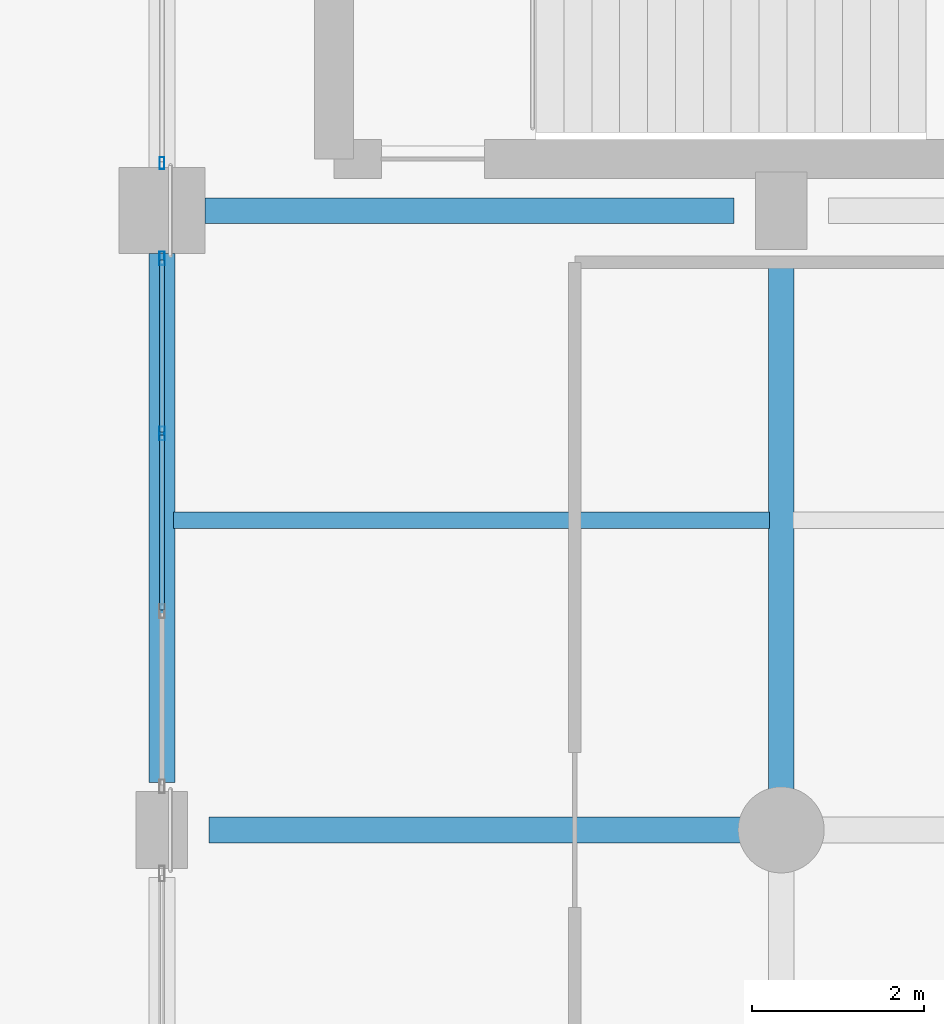
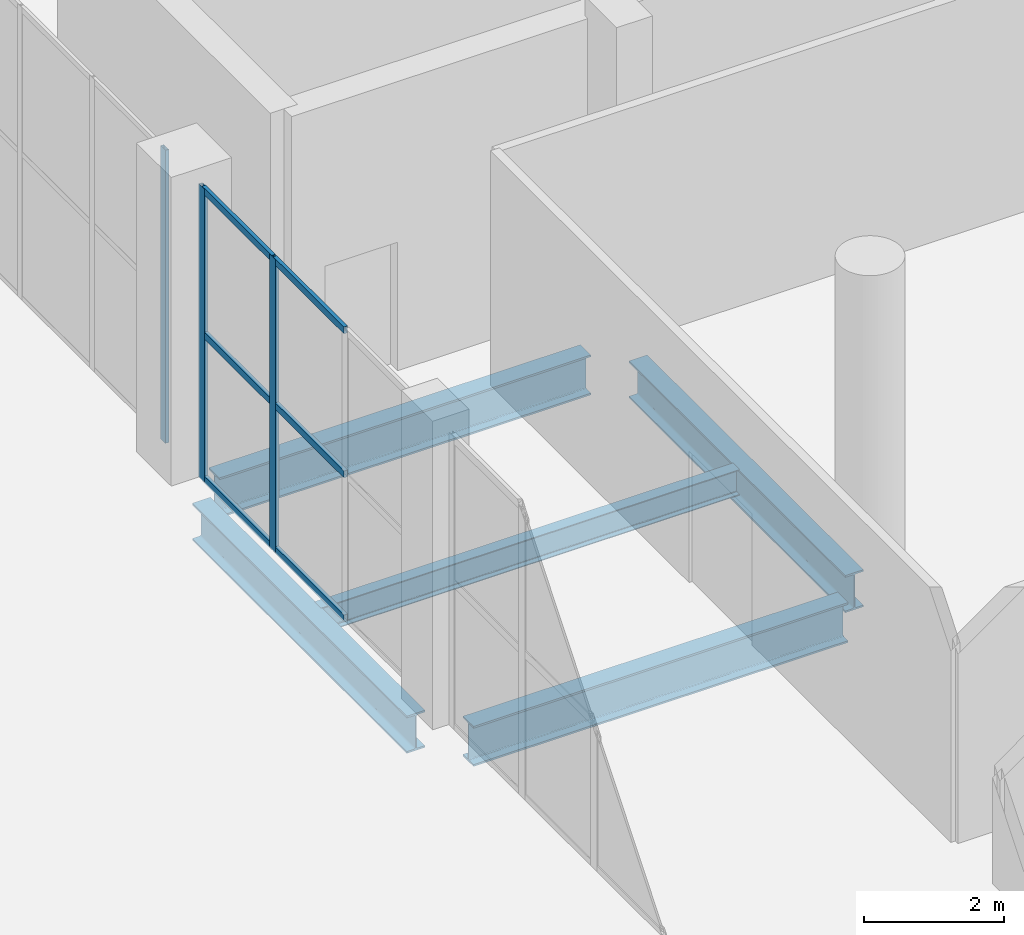
# One storey, part 20 of 58: 9 members, 5 beams, 2 elements without a shape of their own.
"""IFC4 building model written with IfcOpenShell, lengths in metres."""

from ifc_helpers import new_model, si_unit, direction, frame, origin, origin_2d, place, context, subcontext, project, spatial, hollow_rectangle, i_section, extrude, material, material_profile, profile_set, type_object, element, aggregate, save


model = new_model("IFC4")

# Units and contexts
model_context = context("Model", 3, precision=1e-05, world=origin(), true_north=direction((0.0, 1.0)))
body_context = subcontext(model_context, "Body", "Model", "MODEL_VIEW")
ifc_project = project(units=[si_unit("LENGTHUNIT", "METRE"), si_unit("AREAUNIT", "SQUARE_METRE"), si_unit("VOLUMEUNIT", "CUBIC_METRE"), si_unit("PLANEANGLEUNIT", "RADIAN"), si_unit("MASSUNIT", "GRAM", prefix="KILO")], contexts=[model_context])

# Site, building, storey
site_placement = place(None, origin())
site = spatial("IfcSite", under=ifc_project, at=site_placement, CompositionType="ELEMENT")
building_placement = place(site_placement, origin())
building = spatial("IfcBuilding", under=site, at=building_placement, Name="Qandorah Velis Arena", CompositionType="ELEMENT")
storey_placement = place(building_placement, origin())
storey = spatial("IfcBuildingStorey", under=building, at=storey_placement, Name="L00", CompositionType="ELEMENT", Elevation=0.0)

# Curtain wall, member
ifc_material_1 = material(Name="Solar-control low-E double glazing", Category="glass")
curtain_wall_type_1 = type_object("IfcCurtainWallType", Name="ARC-CW-SYS24", PredefinedType="USERDEFINED", material=ifc_material_1)
curtain_wall_1_placement = place(storey_placement, origin())
curtain_wall_1 = element("IfcCurtainWall", 1, at=curtain_wall_1_placement, inside=storey, type_object=curtain_wall_type_1, Name="Unitised curtain wall L00-120", ObjectType="UNITISED CURTAIN WALL", PredefinedType="USERDEFINED")
ifc_material_2 = material(Name="Champagne-bronze anodized aluminium 6063-T6", Category="aluminium")
ifc_material_profile_1 = material_profile(ifc_material_2, hollow_rectangle(XDim=0.054931640625, YDim=0.139892578125, WallThickness=0.0029296875, at=origin_2d()), Name="ALU MULLION 55x140")
ifc_profile_set_1 = profile_set([ifc_material_profile_1], Name="Champagne-bronze anodized aluminium 6063-T6")
member_type_1 = type_object("IfcMemberType", Name="ARC-CWM-140", PredefinedType="MULLION", material=ifc_profile_set_1)
member_1_placement = place(storey_placement, frame((151.199951171875, 79.75244140625, -0.014892578125), z_axis=(0.0, 0.0, 1.0), x_axis=(-1.0, 0.0, 0.0)))
member_1 = element("IfcMember", 2, at=member_1_placement, type_object=member_type_1, Name="CW24 mullion 1", PredefinedType="MULLION", context=body_context, shape_type="SweptSolid", body=[
    extrude(hollow_rectangle(XDim=0.054931640625, YDim=0.139892578125, WallThickness=0.0029296875, at=origin_2d()), origin(), (0.0, 0.0, 1.0), 5.1298828125),
])
aggregate(curtain_wall_1, [member_1])

# Curtain wall, members
curtain_wall_type_2 = type_object("IfcCurtainWallType", Name="ARC-CW-SYS23", PredefinedType="USERDEFINED", material=ifc_material_1)
curtain_wall_2_placement = place(storey_placement, origin())
curtain_wall_2 = element("IfcCurtainWall", 3, at=curtain_wall_2_placement, inside=storey, type_object=curtain_wall_type_2, Name="Unitised curtain wall L00-119", ObjectType="UNITISED CURTAIN WALL", PredefinedType="USERDEFINED")
ifc_material_profile_2 = material_profile(ifc_material_2, hollow_rectangle(XDim=0.06005859375, YDim=0.159912109375, WallThickness=0.00341796875, at=origin_2d()), Name="ALU MULLION 60x160")
ifc_profile_set_2 = profile_set([ifc_material_profile_2], Name="Champagne-bronze anodized aluminium 6063-T6")
member_type_2 = type_object("IfcMemberType", Name="ARC-CWM-160", PredefinedType="MULLION", material=ifc_profile_set_2)
member_2_placement = place(storey_placement, frame((151.199951171875, 76.6083984375, -0.014892578125), z_axis=(0.0, 0.0, 1.0), x_axis=(-1.0, 0.0, 0.0)))
member_2 = element("IfcMember", 4, at=member_2_placement, type_object=member_type_2, Name="CW23 mullion 3", PredefinedType="MULLION", context=body_context, shape_type="SweptSolid", body=[
    extrude(hollow_rectangle(XDim=0.06005859375, YDim=0.159912109375, WallThickness=0.00341796875, at=origin_2d()), origin(), (0.0, 0.0, 1.0), 5.1298828125),
])
member_3_placement = place(storey_placement, frame((151.199951171875, 78.64501953125, -0.014892578125), z_axis=(0.0, 0.0, 1.0), x_axis=(-1.0, 0.0, 0.0)))
member_3 = element("IfcMember", 5, at=member_3_placement, type_object=member_type_2, Name="CW23 mullion 4", PredefinedType="MULLION", context=body_context, shape_type="SweptSolid", body=[
    extrude(hollow_rectangle(XDim=0.06005859375, YDim=0.159912109375, WallThickness=0.00341796875, at=origin_2d()), origin(), (0.0, 0.0, 1.0), 5.1298828125),
])
ifc_material_profile_3 = material_profile(ifc_material_2, hollow_rectangle(XDim=0.06005859375, YDim=0.1201171875, WallThickness=0.0029296875, at=origin_2d()), Name="ALU TRANSOM 60x120")
ifc_profile_set_3 = profile_set([ifc_material_profile_3], Name="Champagne-bronze anodized aluminium 6063-T6")
member_type_3 = type_object("IfcMemberType", Name="ARC-CWT-120", PredefinedType="USERDEFINED", material=ifc_profile_set_3)
member_4_placement = place(storey_placement, frame((151.199951171875, 74.559814453125, 0.030029296875), z_axis=(0.0, 1.0, 0.0), x_axis=(-1.0, 0.0, 0.0)))
member_4 = element("IfcMember", 6, at=member_4_placement, type_object=member_type_3, Name="CW23 transom 2.1", ObjectType="TRANSOM", PredefinedType="USERDEFINED", context=body_context, shape_type="SweptSolid", body=[
    extrude(hollow_rectangle(XDim=0.06005859375, YDim=0.1201171875, WallThickness=0.0029296875, at=origin_2d()), origin(), (0.0, 0.0, 1.0), 2.030517578125),
])
member_5_placement = place(storey_placement, frame((151.199951171875, 74.559814453125, 2.550048828125), z_axis=(0.0, 1.0, 0.0), x_axis=(-1.0, 0.0, 0.0)))
member_5 = element("IfcMember", 7, at=member_5_placement, type_object=member_type_3, Name="CW23 transom 2.2", ObjectType="TRANSOM", PredefinedType="USERDEFINED", context=body_context, shape_type="SweptSolid", body=[
    extrude(hollow_rectangle(XDim=0.06005859375, YDim=0.1201171875, WallThickness=0.0029296875, at=origin_2d()), origin(), (0.0, 0.0, 1.0), 2.030517578125),
])
member_6_placement = place(storey_placement, frame((151.199951171875, 74.559814453125, 5.070068359375), z_axis=(0.0, 1.0, 0.0), x_axis=(-1.0, 0.0, 0.0)))
member_6 = element("IfcMember", 8, at=member_6_placement, type_object=member_type_3, Name="CW23 transom 2.3", ObjectType="TRANSOM", PredefinedType="USERDEFINED", context=body_context, shape_type="SweptSolid", body=[
    extrude(hollow_rectangle(XDim=0.06005859375, YDim=0.1201171875, WallThickness=0.0029296875, at=origin_2d()), origin(), (0.0, 0.0, 1.0), 2.030517578125),
])
member_7_placement = place(storey_placement, frame((151.199951171875, 76.626220703125, 0.030029296875), z_axis=(0.0, 1.0, 0.0), x_axis=(-1.0, 0.0, 0.0)))
member_7 = element("IfcMember", 9, at=member_7_placement, type_object=member_type_3, Name="CW23 transom 3.1", ObjectType="TRANSOM", PredefinedType="USERDEFINED", context=body_context, shape_type="SweptSolid", body=[
    extrude(hollow_rectangle(XDim=0.06005859375, YDim=0.1201171875, WallThickness=0.0029296875, at=origin_2d()), origin(), (0.0, 0.0, 1.0), 2.000732421875),
])
member_8_placement = place(storey_placement, frame((151.199951171875, 76.626220703125, 2.550048828125), z_axis=(0.0, 1.0, 0.0), x_axis=(-1.0, 0.0, 0.0)))
member_8 = element("IfcMember", 10, at=member_8_placement, type_object=member_type_3, Name="CW23 transom 3.2", ObjectType="TRANSOM", PredefinedType="USERDEFINED", context=body_context, shape_type="SweptSolid", body=[
    extrude(hollow_rectangle(XDim=0.06005859375, YDim=0.1201171875, WallThickness=0.0029296875, at=origin_2d()), origin(), (0.0, 0.0, 1.0), 2.000732421875),
])
member_9_placement = place(storey_placement, frame((151.199951171875, 76.626220703125, 5.070068359375), z_axis=(0.0, 1.0, 0.0), x_axis=(-1.0, 0.0, 0.0)))
member_9 = element("IfcMember", 11, at=member_9_placement, type_object=member_type_3, Name="CW23 transom 3.3", ObjectType="TRANSOM", PredefinedType="USERDEFINED", context=body_context, shape_type="SweptSolid", body=[
    extrude(hollow_rectangle(XDim=0.06005859375, YDim=0.1201171875, WallThickness=0.0029296875, at=origin_2d()), origin(), (0.0, 0.0, 1.0), 2.000732421875),
])
aggregate(curtain_wall_2, [member_2, member_3, member_4, member_5, member_6, member_7, member_8, member_9])

# Beams
ifc_material_3 = material(Name="Steel S355", Category="steel")
ifc_material_profile_4 = material_profile(ifc_material_3, i_section(OverallWidth=0.300048828125, OverallDepth=0.64990234375, WebThickness=0.01611328125, FlangeThickness=0.031005859375, FilletRadius=0.027099609375, at=origin_2d()), Name="HEB 650")
ifc_profile_set_4 = profile_set([ifc_material_profile_4], Name="Steel S355")
beam_type_1 = type_object("IfcBeamType", Name="STR-BM-HEB650", PredefinedType="BEAM", material=ifc_profile_set_4)
beam_1_placement = place(storey_placement, frame((151.199951171875, 72.550048828125, -0.7451171875), z_axis=(0.0, 1.0, 0.0), x_axis=(-1.0, 0.0, 0.0)))
element("IfcBeam", 12, at=beam_1_placement, inside=storey, type_object=beam_type_1, Name="Primary floor girder L00 Y-508", PredefinedType="BEAM", context=body_context, shape_type="SweptSolid", body=[
    extrude(i_section(OverallWidth=0.300048828125, OverallDepth=0.64990234375, WebThickness=0.01611328125, FlangeThickness=0.031005859375, FilletRadius=0.027099609375, at=origin_2d()), origin(), (0.0, 0.0, 1.0), 6.14990234375),
])
beam_2_placement = place(storey_placement, frame((158.39990234375, 72.449951171875, -0.7451171875), z_axis=(0.0, 1.0, 0.0), x_axis=(-1.0, 0.0, 0.0)))
element("IfcBeam", 13, at=beam_2_placement, inside=storey, type_object=beam_type_1, Name="Primary floor girder L00 Y-513", PredefinedType="BEAM", context=body_context, shape_type="SweptSolid", body=[
    extrude(i_section(OverallWidth=0.300048828125, OverallDepth=0.64990234375, WebThickness=0.01611328125, FlangeThickness=0.031005859375, FilletRadius=0.027099609375, at=origin_2d()), origin(), (0.0, 0.0, 1.0), 6.199951171875),
])
ifc_material_profile_5 = material_profile(ifc_material_3, i_section(OverallWidth=0.300048828125, OverallDepth=0.699951171875, WebThickness=0.01708984375, FlangeThickness=0.031982421875, FilletRadius=0.027099609375, at=origin_2d()), Name="HEB 700")
ifc_profile_set_5 = profile_set([ifc_material_profile_5], Name="Steel S355")
beam_type_2 = type_object("IfcBeamType", Name="STR-BM-HEB700", PredefinedType="BEAM", material=ifc_profile_set_5)
beam_3_placement = place(storey_placement, frame((151.75, 72.0, -0.77001953125), z_axis=(1.0, 0.0, 0.0), x_axis=(0.0, 1.0, 0.0)))
element("IfcBeam", 14, at=beam_3_placement, inside=storey, type_object=beam_type_2, Name="Primary floor girder L00 X-142", PredefinedType="BEAM", context=body_context, shape_type="SweptSolid", body=[
    extrude(i_section(OverallWidth=0.300048828125, OverallDepth=0.699951171875, WebThickness=0.01708984375, FlangeThickness=0.031982421875, FilletRadius=0.027099609375, at=origin_2d()), origin(), (0.0, 0.0, 1.0), 6.199951171875),
])
beam_4_placement = place(storey_placement, frame((151.699951171875, 79.199951171875, -0.77001953125), z_axis=(1.0, 0.0, 0.0), x_axis=(0.0, 1.0, 0.0)))
element("IfcBeam", 15, at=beam_4_placement, inside=storey, type_object=beam_type_2, Name="Primary floor girder L00 X-149", PredefinedType="BEAM", context=body_context, shape_type="SweptSolid", body=[
    extrude(i_section(OverallWidth=0.300048828125, OverallDepth=0.699951171875, WebThickness=0.01708984375, FlangeThickness=0.031982421875, FilletRadius=0.027099609375, at=origin_2d()), origin(), (0.0, 0.0, 1.0), 6.150146484375),
])
ifc_material_profile_6 = material_profile(ifc_material_3, i_section(OverallWidth=0.18994140625, OverallDepth=0.449951171875, WebThickness=0.009521484375, FlangeThickness=0.0146484375, FilletRadius=0.02099609375, at=origin_2d()), Name="IPE 450")
ifc_profile_set_6 = profile_set([ifc_material_profile_6], Name="Steel S355")
beam_type_3 = type_object("IfcBeamType", Name="STR-JST-IPE450", PredefinedType="JOIST", material=ifc_profile_set_6)
beam_5_placement = place(storey_placement, frame((151.3349609375, 75.60009765625, -0.64501953125), z_axis=(1.0, 0.0, 0.0), x_axis=(0.0, 1.0, 0.0)))
element("IfcBeam", 16, at=beam_5_placement, inside=storey, type_object=beam_type_3, Name="Secondary floor joist L00-195", PredefinedType="JOIST", context=body_context, shape_type="SweptSolid", body=[
    extrude(i_section(OverallWidth=0.18994140625, OverallDepth=0.449951171875, WebThickness=0.009521484375, FlangeThickness=0.0146484375, FilletRadius=0.02099609375, at=origin_2d()), origin(), (0.0, 0.0, 1.0), 6.929931640625),
])

save(model, "model.ifc")
